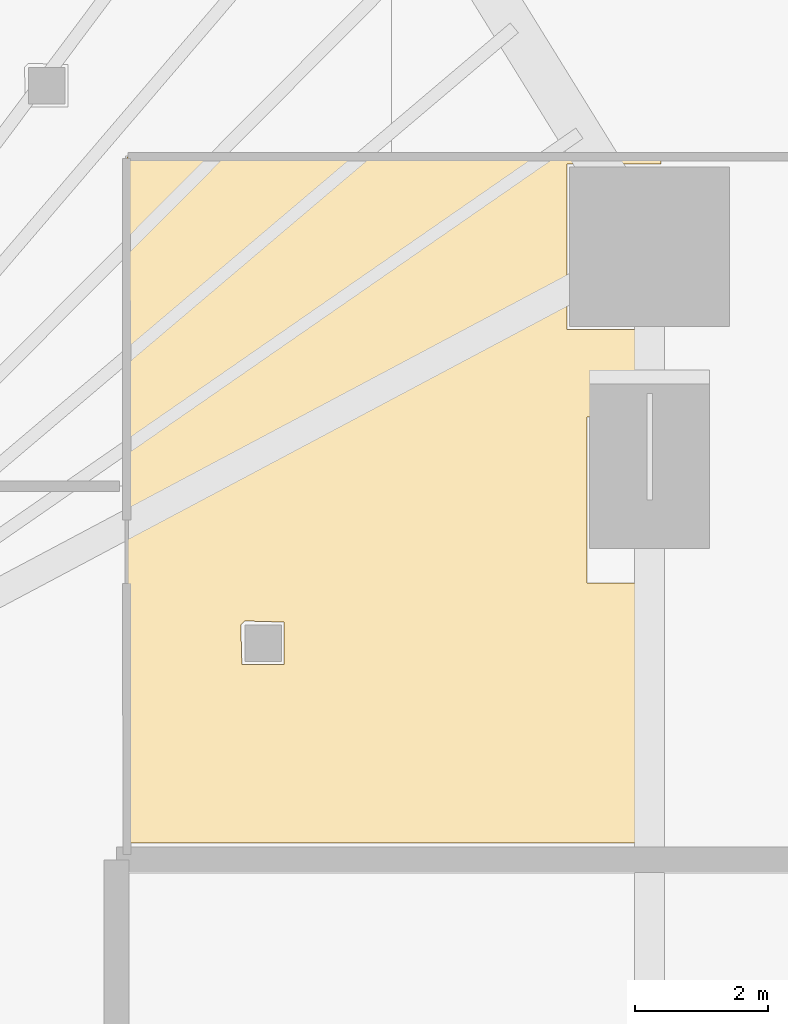
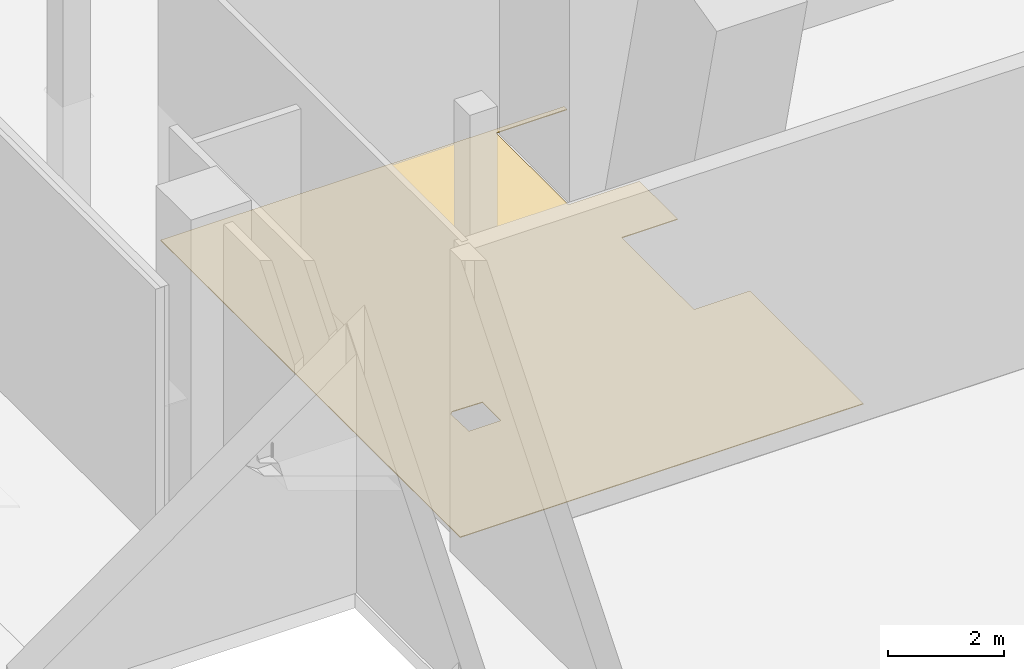
# One storey, part 42 of 45: 1 covering.
"""IFC4 building model written with IfcOpenShell, lengths in metres."""

import ifcopenshell
import ifcopenshell.guid

model = None  # the IFC model being written
_history = None  # IfcOwnerHistory: only IFC2X3 demands one
_inside = {}  # id of a spatial element -> (the spatial element, [elements in it])
_under = {}  # id of a project, library or spatial element -> (it, [spatial elements below it])
_declared = {}  # id of a project -> (the project, [libraries it declares])
_typed = {}  # id of a type object -> (the type object, [elements of that type])
_made_of = {}  # id of a material, layer set ... -> (it, [elements and type objects made of it])


def new_model(schema):
    """Start an empty IFC model of exactly this schema.

    Asked for "IFC4X3", IfcOpenShell would pick the latest addendum, in which some entities
    have other attributes; the version numbers below select the first issue.
    IFC2X3 requires an IfcOwnerHistory on every rooted entity: one is made here for all.
    """
    global model, _history
    if schema == "IFC4X3":
        model = ifcopenshell.file(schema_version=(4, 3, 0, 0))
    else:
        model = ifcopenshell.file(schema=schema)
    _inside.clear()
    _under.clear()
    _declared.clear()
    _typed.clear()
    _made_of.clear()
    _history = None
    if model.schema == "IFC2X3":
        org = make("IfcOrganization", Name="unknown")
        user = make(
            "IfcPersonAndOrganization",
            ThePerson=make("IfcPerson", FamilyName="unknown"),
            TheOrganization=org,
        )
        app = make(
            "IfcApplication",
            ApplicationDeveloper=org,
            Version="unknown",
            ApplicationFullName="unknown",
            ApplicationIdentifier="unknown",
        )
        _history = make(
            "IfcOwnerHistory",
            OwningUser=user,
            OwningApplication=app,
            ChangeAction="ADDED",
            CreationDate=0,
        )
    return model


def make(cls, **values):
    """One entity of the class cls with the attributes given. An attribute that is None is left unset."""
    return model.create_entity(
        cls, **{name: value for name, value in values.items() if value is not None}
    )


def rooted(cls, **values):
    """An entity with a GlobalId (a new one), such as an element, a storey or a relation."""
    return make(cls, GlobalId=ifcopenshell.guid.new(), OwnerHistory=_history, **values)


def si_unit(unit_type, name, prefix=None):
    """IfcSIUnit, for example si_unit("LENGTHUNIT", "METRE", prefix="MILLI")."""
    return make("IfcSIUnit", UnitType=unit_type, Prefix=prefix, Name=name)


def assignment(units):
    """IfcUnitAssignment: the units of a project."""
    return None if units is None else make("IfcUnitAssignment", Units=units)


def point(xyz):
    """IfcCartesianPoint."""
    return None if xyz is None else make("IfcCartesianPoint", Coordinates=xyz)


def direction(xyz):
    """IfcDirection."""
    return None if xyz is None else make("IfcDirection", DirectionRatios=xyz)


def frame(location, z_axis=None, x_axis=None):
    """IfcAxis2Placement3D, a coordinate frame: its origin and axes. An axis left out is left unset."""
    return make(
        "IfcAxis2Placement3D",
        Location=point(location),
        Axis=direction(z_axis),
        RefDirection=direction(x_axis),
    )


def origin():
    """The frame at (0, 0, 0) with its axes left unset."""
    return frame((0.0, 0.0, 0.0))


def place(relative_to, where):
    """IfcLocalPlacement: puts the frame where relative to a parent placement (None: the world)."""
    return make(
        "IfcLocalPlacement", PlacementRelTo=relative_to, RelativePlacement=where
    )


def context(
    kind, dimensions, precision=None, world=None, true_north=None, identifier=None
):
    """IfcGeometricRepresentationContext, for example the 3D "Model" context."""
    return make(
        "IfcGeometricRepresentationContext",
        ContextIdentifier=identifier,
        ContextType=kind,
        CoordinateSpaceDimension=dimensions,
        Precision=precision,
        WorldCoordinateSystem=world,
        TrueNorth=true_north,
    )


def subcontext(parent, identifier, kind, view, scale=None):
    """IfcGeometricRepresentationSubContext, for example "Body" below "Model"."""
    return make(
        "IfcGeometricRepresentationSubContext",
        ContextIdentifier=identifier,
        ContextType=kind,
        ParentContext=parent,
        TargetScale=scale,
        TargetView=view,
    )


def project(units=None, contexts=None):
    """IfcProject with its units and contexts."""
    return rooted(
        "IfcProject",
        Name="project",
        RepresentationContexts=contexts,
        UnitsInContext=assignment(units),
    )


def spatial(cls, under=None, at=None, **own):
    """A site, building, storey or space (cls), placed at a placement, below another one or the project."""
    s = rooted(cls, ObjectPlacement=at, **own)
    if under is not None:
        _under.setdefault(under.id(), (under, []))[1].append(s)
    return s


def polyline(points):
    """IfcPolyline through the points."""
    return make("IfcPolyline", Points=[point(p) for p in points])


def outline(outer, holes=None, kind="AREA"):
    """IfcArbitraryClosedProfileDef: a profile drawn as a closed curve; with holes, ...WithVoids."""
    if holes is None:
        return make("IfcArbitraryClosedProfileDef", ProfileType=kind, OuterCurve=outer)
    return make(
        "IfcArbitraryProfileDefWithVoids",
        ProfileType=kind,
        OuterCurve=outer,
        InnerCurves=holes,
    )


def extrude(swept, where, along, depth):
    """IfcExtrudedAreaSolid: the profile swept, set in the frame where, extruded along a direction by depth."""
    return make(
        "IfcExtrudedAreaSolid",
        SweptArea=swept,
        Position=where,
        ExtrudedDirection=direction(along),
        Depth=depth,
    )


def shape(context_of_items, identifier, shape_type, items):
    """IfcShapeRepresentation: the items that make up one representation, for example the "Body"."""
    return make(
        "IfcShapeRepresentation",
        ContextOfItems=context_of_items,
        RepresentationIdentifier=identifier,
        RepresentationType=shape_type,
        Items=items,
    )


def material(Name=None, Category=None):
    """IfcMaterial."""
    return make("IfcMaterial", Name=Name, Category=Category)


def layer(
    of_material, thickness, ventilated=None, Name=None, Category=None, Priority=None
):
    """IfcMaterialLayer: one layer of a wall or slab, of a material (None: an air gap)."""
    return make(
        "IfcMaterialLayer",
        Material=of_material,
        LayerThickness=thickness,
        IsVentilated=ventilated,
        Name=Name,
        Category=Category,
        Priority=Priority,
    )


def layer_set(layers, Name=None):
    """IfcMaterialLayerSet."""
    return make("IfcMaterialLayerSet", MaterialLayers=layers, LayerSetName=Name)


def made_of(thing, what):
    """Note that an element or type object is made of a material, layer set ...; save() writes the relation."""
    if what is not None:
        _made_of.setdefault(what.id(), (what, []))[1].append(thing)
    return thing


def type_object(cls, material=None, **own):
    """A type object (cls), such as IfcWallType, which elements share."""
    return made_of(rooted(cls, **own), material)


def element(
    cls,
    number,
    at=None,
    inside=None,
    cuts=None,
    type_object=None,
    material=None,
    context=None,
    identifier="Body",
    shape_type=None,
    held_by="IfcProductDefinitionShape",
    body=None,
    shapes=None,
    **own,
):
    """One element of the class cls, such as IfcWall. Its Tag is "e" and its number.

    at: its placement. inside: the storey or other place that contains it. cuts: it is an
    opening in that element (IfcRelVoidsElement). A single representation is given by context,
    identifier, shape_type and body (its items); several are given by shapes. held_by: the class
    of the entity that holds the representations. save() writes the other relations.
    """
    e = rooted(cls, Tag="e%d" % number, ObjectPlacement=at, **own)
    if body is not None:
        shapes = [shape(context, identifier, shape_type, body)]
    if shapes is not None:
        e.Representation = make(held_by, Representations=shapes)
    if inside is not None:
        _inside.setdefault(inside.id(), (inside, []))[1].append(e)
    if cuts is not None:
        rooted(
            "IfcRelVoidsElement", RelatingBuildingElement=cuts, RelatedOpeningElement=e
        )
    if type_object is not None:
        _typed.setdefault(type_object.id(), (type_object, []))[1].append(e)
    return made_of(e, material)


def aggregate(whole, parts):
    """IfcRelAggregates: a whole, such as a stair, and the parts it consists of."""
    return rooted("IfcRelAggregates", RelatingObject=whole, RelatedObjects=parts)


def save(model, path):
    """Write the relations noted so far, then the file.

    IfcRelAggregates (storeys below a building ...), IfcRelContainedInSpatialStructure (elements
    in a storey), IfcRelDefinesByType, IfcRelAssociatesMaterial and IfcRelDeclares: one each for
    every whole, place, type object, material and project.
    """
    for whole, parts in _under.values():
        aggregate(whole, parts)
    for where, things in _inside.values():
        rooted(
            "IfcRelContainedInSpatialStructure",
            RelatedElements=things,
            RelatingStructure=where,
        )
    for kind, things in _typed.values():
        rooted("IfcRelDefinesByType", RelatedObjects=things, RelatingType=kind)
    for what, things in _made_of.values():
        rooted("IfcRelAssociatesMaterial", RelatedObjects=things, RelatingMaterial=what)
    for by, libraries in _declared.values():
        rooted("IfcRelDeclares", RelatingContext=by, RelatedDefinitions=libraries)
    model.write(path)


model = new_model("IFC4")

# Units and contexts
model_context = context("Model", 3, precision=1e-05, world=origin(), true_north=direction((0.0, 1.0)))
body_context = subcontext(model_context, "Body", "Model", "MODEL_VIEW")
ifc_project = project(units=[si_unit("LENGTHUNIT", "METRE"), si_unit("AREAUNIT", "SQUARE_METRE"), si_unit("VOLUMEUNIT", "CUBIC_METRE"), si_unit("PLANEANGLEUNIT", "RADIAN"), si_unit("MASSUNIT", "GRAM", prefix="KILO")], contexts=[model_context])

# Site, building, storey
site_placement = place(None, origin())
site = spatial("IfcSite", under=ifc_project, at=site_placement, CompositionType="ELEMENT")
building_placement = place(site_placement, origin())
building = spatial("IfcBuilding", under=site, at=building_placement, Name="Qorvath Tower", CompositionType="ELEMENT")
storey_placement = place(building_placement, origin())
storey = spatial("IfcBuildingStorey", under=building, at=storey_placement, Name="L00", CompositionType="ELEMENT", Elevation=0.0)

# Covering
ifc_material = material(Name="Polished epoxy terrazzo flooring", Category="concrete")
ifc_layer = layer(ifc_material, 0.02001953125)
ifc_layer_set = layer_set([ifc_layer], Name="COV-FLOOR-TRZ")
covering_type = type_object("IfcCoveringType", Name="COV-FLOOR-TRZ", PredefinedType="FLOORING", material=ifc_layer_set)
covering_placement = place(storey_placement, origin())
element("IfcCovering", 1, at=covering_placement, inside=storey, type_object=covering_type, Name="L00 Floor Finish 010", PredefinedType="FLOORING", context=body_context, shape_type="SweptSolid", body=[
    extrude(outline(polyline([(-5.83056640625, 8.455078125), (-5.83056640625, 12.357666015625), (-6.9423828125, 12.357666015625), (-6.9423828125, 14.842529296875), (-5.83056640625, 14.842529296875), (-5.83056640625, 16.157470703125), (-7.242431640625, 16.157470703125), (-7.242431640625, 18.642333984375), (-5.83056640625, 18.642333984375), (-5.83056640625, 18.7451171875), (-13.844970703125, 18.7451171875), (-13.8369140625, 8.455078125), (-5.83056640625, 8.455078125)]), holes=[polyline([(-12.135009765625, 11.72509765625), (-12.074951171875, 11.784912109375), (-11.482666015625, 11.767333984375), (-11.482666015625, 11.132568359375), (-12.117431640625, 11.132568359375), (-12.135009765625, 11.72509765625)])]), origin(), (0.0, 0.0, 1.0), 0.014892578125),
])

save(model, "model.ifc")
